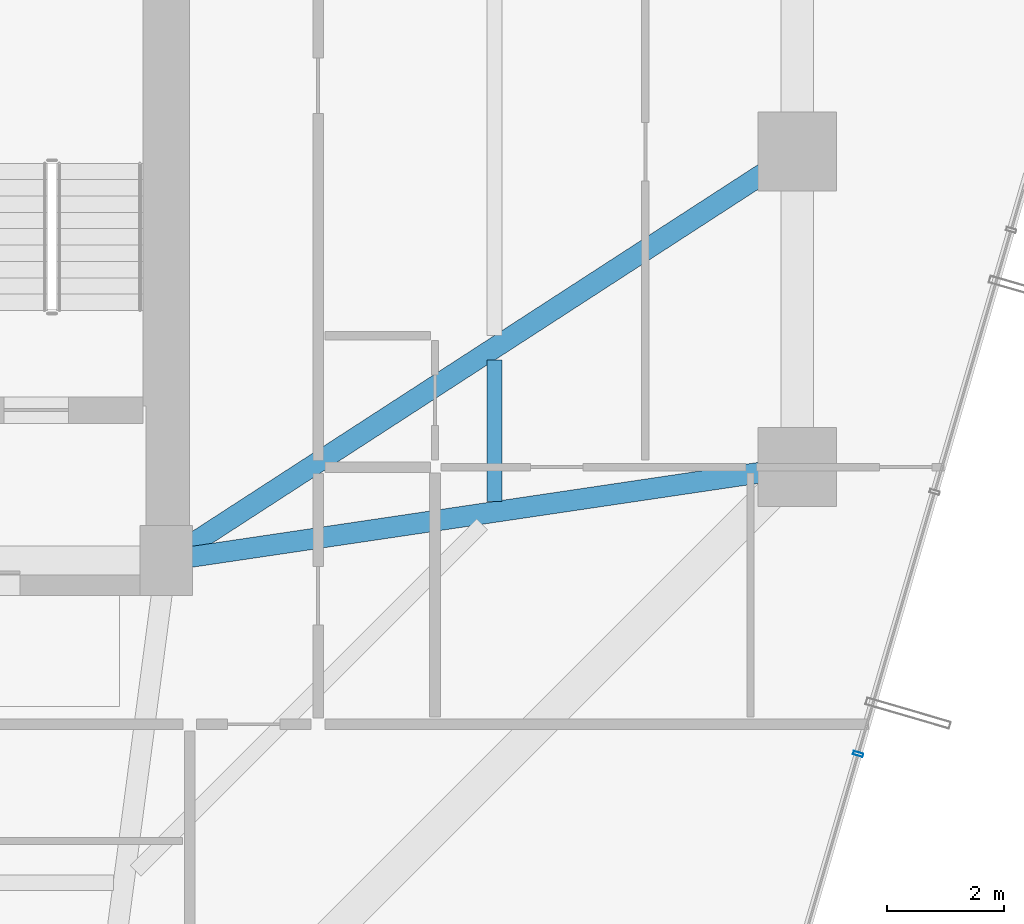
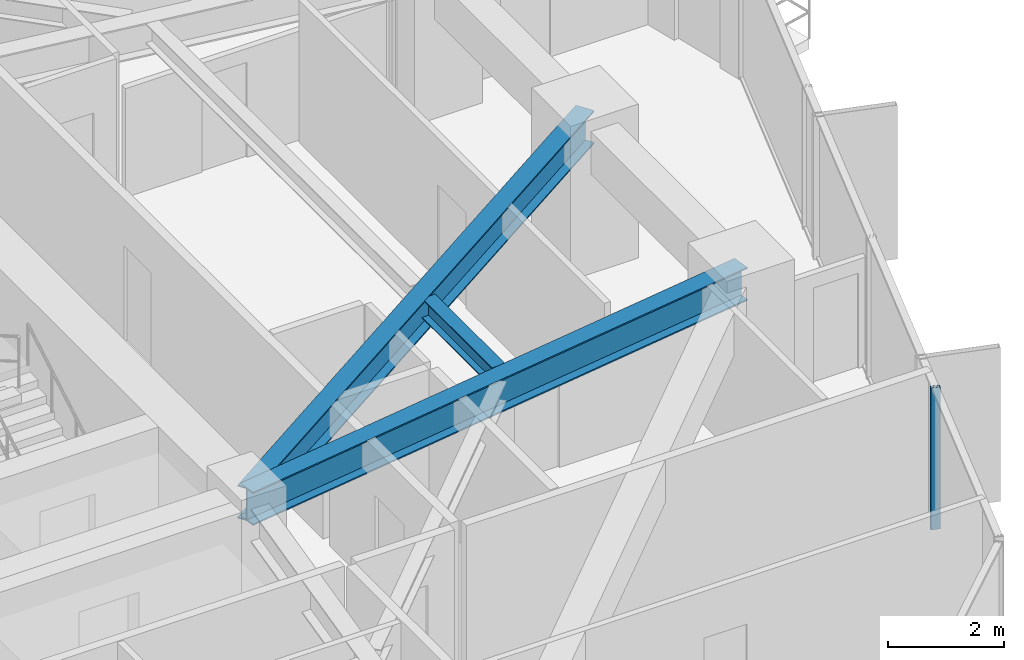
# One storey, part 14 of 37: 3 beams, 1 member, 1 element without a shape of its own.
"""IFC4 building model written with IfcOpenShell, lengths in metres."""

import ifcopenshell
import ifcopenshell.guid

model = None  # the IFC model being written
_history = None  # IfcOwnerHistory: only IFC2X3 demands one
_inside = {}  # id of a spatial element -> (the spatial element, [elements in it])
_under = {}  # id of a project, library or spatial element -> (it, [spatial elements below it])
_declared = {}  # id of a project -> (the project, [libraries it declares])
_typed = {}  # id of a type object -> (the type object, [elements of that type])
_made_of = {}  # id of a material, layer set ... -> (it, [elements and type objects made of it])


def new_model(schema):
    """Start an empty IFC model of exactly this schema.

    Asked for "IFC4X3", IfcOpenShell would pick the latest addendum, in which some entities
    have other attributes; the version numbers below select the first issue.
    IFC2X3 requires an IfcOwnerHistory on every rooted entity: one is made here for all.
    """
    global model, _history
    if schema == "IFC4X3":
        model = ifcopenshell.file(schema_version=(4, 3, 0, 0))
    else:
        model = ifcopenshell.file(schema=schema)
    _inside.clear()
    _under.clear()
    _declared.clear()
    _typed.clear()
    _made_of.clear()
    _history = None
    if model.schema == "IFC2X3":
        org = make("IfcOrganization", Name="unknown")
        user = make(
            "IfcPersonAndOrganization",
            ThePerson=make("IfcPerson", FamilyName="unknown"),
            TheOrganization=org,
        )
        app = make(
            "IfcApplication",
            ApplicationDeveloper=org,
            Version="unknown",
            ApplicationFullName="unknown",
            ApplicationIdentifier="unknown",
        )
        _history = make(
            "IfcOwnerHistory",
            OwningUser=user,
            OwningApplication=app,
            ChangeAction="ADDED",
            CreationDate=0,
        )
    return model


def make(cls, **values):
    """One entity of the class cls with the attributes given. An attribute that is None is left unset."""
    return model.create_entity(
        cls, **{name: value for name, value in values.items() if value is not None}
    )


def rooted(cls, **values):
    """An entity with a GlobalId (a new one), such as an element, a storey or a relation."""
    return make(cls, GlobalId=ifcopenshell.guid.new(), OwnerHistory=_history, **values)


def si_unit(unit_type, name, prefix=None):
    """IfcSIUnit, for example si_unit("LENGTHUNIT", "METRE", prefix="MILLI")."""
    return make("IfcSIUnit", UnitType=unit_type, Prefix=prefix, Name=name)


def assignment(units):
    """IfcUnitAssignment: the units of a project."""
    return None if units is None else make("IfcUnitAssignment", Units=units)


def point(xyz):
    """IfcCartesianPoint."""
    return None if xyz is None else make("IfcCartesianPoint", Coordinates=xyz)


def direction(xyz):
    """IfcDirection."""
    return None if xyz is None else make("IfcDirection", DirectionRatios=xyz)


def frame(location, z_axis=None, x_axis=None):
    """IfcAxis2Placement3D, a coordinate frame: its origin and axes. An axis left out is left unset."""
    return make(
        "IfcAxis2Placement3D",
        Location=point(location),
        Axis=direction(z_axis),
        RefDirection=direction(x_axis),
    )


def frame_2d(location, x_axis=None):
    """IfcAxis2Placement2D, a coordinate frame in the plane: its origin and x axis."""
    return make(
        "IfcAxis2Placement2D", Location=point(location), RefDirection=direction(x_axis)
    )


def origin():
    """The frame at (0, 0, 0) with its axes left unset."""
    return frame((0.0, 0.0, 0.0))


def origin_2d():
    """The frame at (0, 0) in the plane with its x axis left unset."""
    return frame_2d((0.0, 0.0))


def place(relative_to, where):
    """IfcLocalPlacement: puts the frame where relative to a parent placement (None: the world)."""
    return make(
        "IfcLocalPlacement", PlacementRelTo=relative_to, RelativePlacement=where
    )


def context(
    kind, dimensions, precision=None, world=None, true_north=None, identifier=None
):
    """IfcGeometricRepresentationContext, for example the 3D "Model" context."""
    return make(
        "IfcGeometricRepresentationContext",
        ContextIdentifier=identifier,
        ContextType=kind,
        CoordinateSpaceDimension=dimensions,
        Precision=precision,
        WorldCoordinateSystem=world,
        TrueNorth=true_north,
    )


def subcontext(parent, identifier, kind, view, scale=None):
    """IfcGeometricRepresentationSubContext, for example "Body" below "Model"."""
    return make(
        "IfcGeometricRepresentationSubContext",
        ContextIdentifier=identifier,
        ContextType=kind,
        ParentContext=parent,
        TargetScale=scale,
        TargetView=view,
    )


def project(units=None, contexts=None):
    """IfcProject with its units and contexts."""
    return rooted(
        "IfcProject",
        Name="project",
        RepresentationContexts=contexts,
        UnitsInContext=assignment(units),
    )


def spatial(cls, under=None, at=None, **own):
    """A site, building, storey or space (cls), placed at a placement, below another one or the project."""
    s = rooted(cls, ObjectPlacement=at, **own)
    if under is not None:
        _under.setdefault(under.id(), (under, []))[1].append(s)
    return s


def profile(cls, at=None, kind="AREA", **sizes):
    """A parametric profile (cls). Its sizes go by their IFC names, for example OverallWidth=200.0."""
    return make(cls, ProfileType=kind, Position=at, **sizes)


def hollow_rectangle(**sizes):
    """IfcRectangleHollowProfileDef."""
    return profile("IfcRectangleHollowProfileDef", **sizes)


def i_section(**sizes):
    """IfcIShapeProfileDef."""
    return profile("IfcIShapeProfileDef", **sizes)


def extrude(swept, where, along, depth):
    """IfcExtrudedAreaSolid: the profile swept, set in the frame where, extruded along a direction by depth."""
    return make(
        "IfcExtrudedAreaSolid",
        SweptArea=swept,
        Position=where,
        ExtrudedDirection=direction(along),
        Depth=depth,
    )


def shape(context_of_items, identifier, shape_type, items):
    """IfcShapeRepresentation: the items that make up one representation, for example the "Body"."""
    return make(
        "IfcShapeRepresentation",
        ContextOfItems=context_of_items,
        RepresentationIdentifier=identifier,
        RepresentationType=shape_type,
        Items=items,
    )


def source(mapping_origin, context_of_items, identifier, shape_type, items):
    """IfcRepresentationMap: a shape defined once, which mapped items show again and again."""
    return make(
        "IfcRepresentationMap",
        MappingOrigin=mapping_origin,
        MappedRepresentation=shape(context_of_items, identifier, shape_type, items),
    )


def transform(
    local_origin,
    x_axis=None,
    y_axis=None,
    z_axis=None,
    scale=None,
    scale2=None,
    scale3=None,
    uniform=True,
):
    """IfcCartesianTransformationOperator3D, or its non-uniform kind. x_axis, y_axis, z_axis: its Axis1, 2, 3."""
    if uniform:
        return make(
            "IfcCartesianTransformationOperator3D",
            Axis1=direction(x_axis),
            Axis2=direction(y_axis),
            LocalOrigin=point(local_origin),
            Scale=scale,
            Axis3=direction(z_axis),
        )
    return make(
        "IfcCartesianTransformationOperator3DnonUniform",
        Axis1=direction(x_axis),
        Axis2=direction(y_axis),
        LocalOrigin=point(local_origin),
        Scale=scale,
        Axis3=direction(z_axis),
        Scale2=scale2,
        Scale3=scale3,
    )


def mapped(mapping_source, mapping_target):
    """IfcMappedItem: shows the shape of a source again, moved by a transform."""
    return make(
        "IfcMappedItem", MappingSource=mapping_source, MappingTarget=mapping_target
    )


def material(Name=None, Category=None):
    """IfcMaterial."""
    return make("IfcMaterial", Name=Name, Category=Category)


def layer(
    of_material, thickness, ventilated=None, Name=None, Category=None, Priority=None
):
    """IfcMaterialLayer: one layer of a wall or slab, of a material (None: an air gap)."""
    return make(
        "IfcMaterialLayer",
        Material=of_material,
        LayerThickness=thickness,
        IsVentilated=ventilated,
        Name=Name,
        Category=Category,
        Priority=Priority,
    )


def layer_set(layers, Name=None):
    """IfcMaterialLayerSet."""
    return make("IfcMaterialLayerSet", MaterialLayers=layers, LayerSetName=Name)


def material_profile(
    of_material, cross_section, Name=None, Category=None, Priority=None
):
    """IfcMaterialProfile: a cross section and its material."""
    return make(
        "IfcMaterialProfile",
        Name=Name,
        Material=of_material,
        Profile=cross_section,
        Priority=Priority,
        Category=Category,
    )


def profile_set(profiles, Name=None, composite=None):
    """IfcMaterialProfileSet."""
    return make(
        "IfcMaterialProfileSet",
        Name=Name,
        MaterialProfiles=profiles,
        CompositeProfile=composite,
    )


def made_of(thing, what):
    """Note that an element or type object is made of a material, layer set ...; save() writes the relation."""
    if what is not None:
        _made_of.setdefault(what.id(), (what, []))[1].append(thing)
    return thing


def type_object(cls, material=None, **own):
    """A type object (cls), such as IfcWallType, which elements share."""
    return made_of(rooted(cls, **own), material)


def element(
    cls,
    number,
    at=None,
    inside=None,
    cuts=None,
    type_object=None,
    material=None,
    context=None,
    identifier="Body",
    shape_type=None,
    held_by="IfcProductDefinitionShape",
    body=None,
    shapes=None,
    **own,
):
    """One element of the class cls, such as IfcWall. Its Tag is "e" and its number.

    at: its placement. inside: the storey or other place that contains it. cuts: it is an
    opening in that element (IfcRelVoidsElement). A single representation is given by context,
    identifier, shape_type and body (its items); several are given by shapes. held_by: the class
    of the entity that holds the representations. save() writes the other relations.
    """
    e = rooted(cls, Tag="e%d" % number, ObjectPlacement=at, **own)
    if body is not None:
        shapes = [shape(context, identifier, shape_type, body)]
    if shapes is not None:
        e.Representation = make(held_by, Representations=shapes)
    if inside is not None:
        _inside.setdefault(inside.id(), (inside, []))[1].append(e)
    if cuts is not None:
        rooted(
            "IfcRelVoidsElement", RelatingBuildingElement=cuts, RelatedOpeningElement=e
        )
    if type_object is not None:
        _typed.setdefault(type_object.id(), (type_object, []))[1].append(e)
    return made_of(e, material)


def aggregate(whole, parts):
    """IfcRelAggregates: a whole, such as a stair, and the parts it consists of."""
    return rooted("IfcRelAggregates", RelatingObject=whole, RelatedObjects=parts)


def save(model, path):
    """Write the relations noted so far, then the file.

    IfcRelAggregates (storeys below a building ...), IfcRelContainedInSpatialStructure (elements
    in a storey), IfcRelDefinesByType, IfcRelAssociatesMaterial and IfcRelDeclares: one each for
    every whole, place, type object, material and project.
    """
    for whole, parts in _under.values():
        aggregate(whole, parts)
    for where, things in _inside.values():
        rooted(
            "IfcRelContainedInSpatialStructure",
            RelatedElements=things,
            RelatingStructure=where,
        )
    for kind, things in _typed.values():
        rooted("IfcRelDefinesByType", RelatedObjects=things, RelatingType=kind)
    for what, things in _made_of.values():
        rooted("IfcRelAssociatesMaterial", RelatedObjects=things, RelatingMaterial=what)
    for by, libraries in _declared.values():
        rooted("IfcRelDeclares", RelatingContext=by, RelatedDefinitions=libraries)
    model.write(path)


model = new_model("IFC4")

# Units and contexts
model_context = context("Model", 3, precision=1e-05, world=origin(), true_north=direction((0.0, 1.0)))
body_context = subcontext(model_context, "Body", "Model", "MODEL_VIEW")
ifc_project = project(units=[si_unit("LENGTHUNIT", "METRE"), si_unit("AREAUNIT", "SQUARE_METRE"), si_unit("VOLUMEUNIT", "CUBIC_METRE"), si_unit("PLANEANGLEUNIT", "RADIAN"), si_unit("MASSUNIT", "GRAM", prefix="KILO")], contexts=[model_context])

# Site, building, storey
site_placement = place(None, origin())
site = spatial("IfcSite", under=ifc_project, at=site_placement, CompositionType="ELEMENT")
building_placement = place(site_placement, origin())
building = spatial("IfcBuilding", under=site, at=building_placement, Name="Veraguas Prism Commons", CompositionType="ELEMENT")
storey_placement = place(building_placement, frame((0.0, 0.0, 70.60009765625)))
storey = spatial("IfcBuildingStorey", under=building, at=storey_placement, Name="L19", CompositionType="ELEMENT", Elevation=70.60009765625)

# Beams
ifc_material_1 = material(Name="Steel ASTM A992 Grade 50", Category="steel")
ifc_material_profile_1 = material_profile(ifc_material_1, i_section(OverallWidth=0.260986328125, OverallDepth=0.419921875, WebThickness=0.01171875, FlangeThickness=0.019287109375, at=origin_2d()), Name="W410X114")
ifc_profile_set_1 = profile_set([ifc_material_profile_1], Name="Steel ASTM A992 Grade 50")
beam_type_1 = type_object("IfcBeamType", Name="Lower Floor Joist W410x114", PredefinedType="JOIST", material=ifc_profile_set_1)
beam_1_placement = place(storey_placement, frame((36.416015625, 18.010009765625, 2.789794921875), z_axis=(0.0, 1.0, 0.0), x_axis=(-1.0, 0.0, 0.0)))
element("IfcBeam", 1, at=beam_1_placement, inside=storey, type_object=beam_type_1, Name="Composite Floor Joist L19-JS01", PredefinedType="JOIST", context=body_context, shape_type="SweptSolid", body=[
    extrude(i_section(OverallWidth=0.260986328125, OverallDepth=0.419921875, WebThickness=0.01171875, FlangeThickness=0.019287109375, at=origin_2d()), origin(), (0.0, 0.0, 1.0), 2.42041015625),
])
ifc_material_profile_2 = material_profile(ifc_material_1, i_section(OverallWidth=0.35595703125, OverallDepth=0.700927734375, WebThickness=0.016845703125, FlangeThickness=0.02734375, at=origin_2d()), Name="W690X240")
ifc_profile_set_2 = profile_set([ifc_material_profile_2], Name="Steel ASTM A992 Grade 50")
beam_type_2 = type_object("IfcBeamType", Name="Zone 1 Radial Girder W690x240", PredefinedType="BEAM", material=ifc_profile_set_2)
beam_2_placement = place(storey_placement, frame((41.60009765625, 18.60009765625, 2.6494140625), z_axis=(-0.989202261707, -0.146556765224, 0.0), x_axis=(0.146556765224, -0.989202261707, 0.0)))
element("IfcBeam", 2, at=beam_2_placement, inside=storey, type_object=beam_type_2, Name="Radial Floor Girder L19-RD01", PredefinedType="BEAM", context=body_context, shape_type="SweptSolid", body=[
    extrude(i_section(OverallWidth=0.35595703125, OverallDepth=0.700927734375, WebThickness=0.016845703125, FlangeThickness=0.02734375, at=origin_2d()), origin(), (0.0, 0.0, 1.0), 10.91796875),
])
beam_3_placement = place(storey_placement, frame((41.60009765625, 24.0, 2.6494140625), z_axis=(-0.839154108875, -0.543893722668, 0.0), x_axis=(0.543893722668, -0.839154108875, 0.0)))
element("IfcBeam", 3, at=beam_3_placement, inside=storey, type_object=beam_type_2, Name="Radial Floor Girder L19-RD02", PredefinedType="BEAM", context=body_context, shape_type="SweptSolid", body=[
    extrude(i_section(OverallWidth=0.35595703125, OverallDepth=0.700927734375, WebThickness=0.016845703125, FlangeThickness=0.02734375, at=origin_2d()), origin(), (0.0, 0.0, 1.0), 12.8701171875),
])

# Curtain wall, member
ifc_material_2 = material(Name="Anodised aluminium EN AW-6063 T6", Category="aluminium")
ifc_layer = layer(ifc_material_2, 0.169921875, Name="Unitised Flush Curtain Wall Zone 1", Category="aluminium")
ifc_layer_set = layer_set([ifc_layer], Name="Anodised aluminium EN AW-6063 T6")
curtain_wall_type = type_object("IfcCurtainWallType", Name="Unitised Flush Curtain Wall Zone 1", PredefinedType="NOTDEFINED", material=ifc_layer_set)
curtain_wall_placement = place(storey_placement, origin())
curtain_wall = element("IfcCurtainWall", 4, at=curtain_wall_placement, inside=storey, type_object=curtain_wall_type, Name="Tower Facade Curtain Wall L19-F6", PredefinedType="NOTDEFINED")
ifc_material_profile_3 = material_profile(ifc_material_2, hollow_rectangle(XDim=0.06005859375, YDim=0.169921875, WallThickness=0.00390625, at=origin_2d()), Name="AL60X170X4")
ifc_profile_set_3 = profile_set([ifc_material_profile_3], Name="Anodised aluminium EN AW-6063 T6")
member_type = type_object("IfcMemberType", Name="Curtain Wall Mullion Lower AL 60x170x4", PredefinedType="MULLION", material=ifc_profile_set_3)
shared_shape = source(origin(), body_context, "Body", "SweptSolid", [
    extrude(hollow_rectangle(XDim=0.06005859375, YDim=0.169921875, WallThickness=0.00390625, at=origin_2d()), origin(), (0.0, 0.0, 1.0), 3.0),
])
member_placement = place(storey_placement, frame((42.641845703125, 13.689697265625, 0.0), z_axis=(0.0, 0.0, 1.0), x_axis=(0.280333331925, 0.959902715389, 0.0)))
member = element("IfcMember", 5, at=member_placement, type_object=member_type, Name="CW-Z1 Mullion 2", PredefinedType="MULLION", context=body_context, shape_type="MappedRepresentation", body=[
    mapped(shared_shape, transform((0.0, 0.0, 0.0), scale=1.0)),
])
aggregate(curtain_wall, [member])

save(model, "model.ifc")
